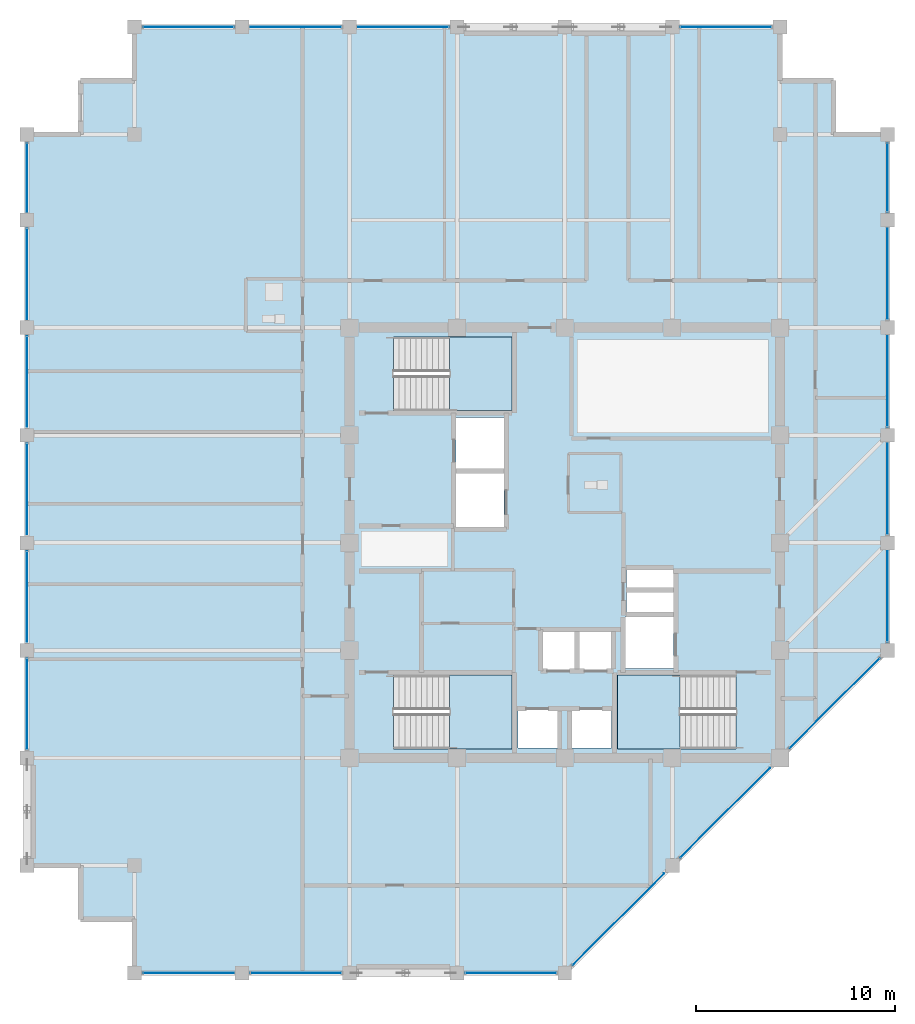
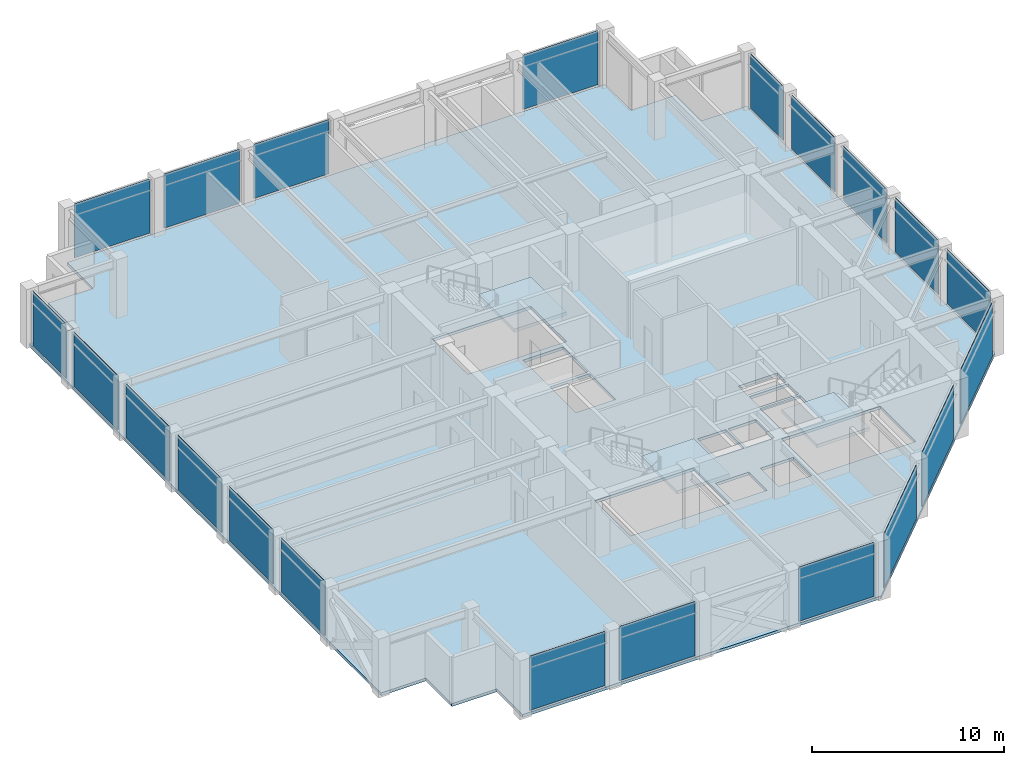
# One storey, part 23 of 30: 21 plates, 4 slabs, 10 elements without a shape of their own.
"""IFC4 building model written with IfcOpenShell, lengths in metres."""

from ifc_helpers import new_model, si_unit, direction, frame, frame_2d, origin, place, context, subcontext, project, spatial, polyline, rectangle, outline, extrude, material, layer, layer_set, type_object, element, aggregate, save


model = new_model("IFC4")

# Units and contexts
model_context = context("Model", 3, precision=1e-05, world=origin(), true_north=direction((0.0, 1.0)))
body_context = subcontext(model_context, "Body", "Model", "MODEL_VIEW")
ifc_project = project(units=[si_unit("LENGTHUNIT", "METRE"), si_unit("AREAUNIT", "SQUARE_METRE"), si_unit("VOLUMEUNIT", "CUBIC_METRE"), si_unit("PLANEANGLEUNIT", "RADIAN"), si_unit("MASSUNIT", "GRAM", prefix="KILO")], contexts=[model_context])

# Site, building, storey
site_placement = place(None, origin())
site = spatial("IfcSite", under=ifc_project, at=site_placement, CompositionType="ELEMENT")
building_placement = place(site_placement, origin())
building = spatial("IfcBuilding", under=site, at=building_placement, Name="Surkhivell Harbour Commons", CompositionType="ELEMENT")
storey_placement = place(building_placement, frame((0.0, 0.0, 300.0)))
storey = spatial("IfcBuildingStorey", under=building, at=storey_placement, Name="L78", CompositionType="ELEMENT", Elevation=300.0)

# Curtain wall, plates
ifc_material_1 = material(Name="Anodised pale-metal aluminium and insulated glazing", Category="aluminium")
ifc_layer_1 = layer(ifc_material_1, 0.175048828125)
ifc_layer_set_1 = layer_set([ifc_layer_1], Name="Anodised pale-metal aluminium and insulated glazing")
curtain_wall_type = type_object("IfcCurtainWallType", Name="CW-SYS-Z4", PredefinedType="NOTDEFINED", material=ifc_layer_set_1)
curtain_wall_1_placement = place(storey_placement, origin())
curtain_wall_1 = element("IfcCurtainWall", 1, at=curtain_wall_1_placement, inside=storey, type_object=curtain_wall_type, Name="L78 Curtain Wall CW-L78-E00S1", PredefinedType="NOTDEFINED")
ifc_material_2 = material(Name="Double-silver low-E laminated vision glass", Category="glass")
ifc_layer_2 = layer(ifc_material_2, 0.031982421875)
ifc_layer_set_2 = layer_set([ifc_layer_2], Name="Double-silver low-E laminated vision glass")
plate_type = type_object("IfcPlateType", Name="CWP-GLZ-32", PredefinedType="CURTAIN_PANEL", material=ifc_layer_set_2)
plate_1_placement = place(storey_placement, frame((-21.173095703125, -21.60009765625, 0.1298828125), z_axis=(0.0, 0.0, 1.0), x_axis=(1.0, 0.0, 0.0)))
plate_1 = element("IfcPlate", 2, at=plate_1_placement, type_object=plate_type, Name="CW-Z4 panel 1.1", PredefinedType="CURTAIN_PANEL", context=body_context, shape_type="SweptSolid", body=[
    extrude(rectangle(XDim=4.546142578125, YDim=0.031982421875, at=frame_2d((2.27294921875, 0.0))), origin(), (0.0, 0.0, 1.0), 3.440185546875),
])
plate_2_placement = place(storey_placement, frame((-15.77294921875, -21.60009765625, 0.1298828125), z_axis=(0.0, 0.0, 1.0), x_axis=(1.0, 0.0, 0.0)))
plate_2 = element("IfcPlate", 3, at=plate_2_placement, type_object=plate_type, Name="CW-Z4 panel 2.1", PredefinedType="CURTAIN_PANEL", context=body_context, shape_type="SweptSolid", body=[
    extrude(rectangle(XDim=4.5458984375, YDim=0.031982421875, at=frame_2d((2.27294921875, 0.0))), origin(), (0.0, 0.0, 1.0), 3.440185546875),
])
aggregate(curtain_wall_1, [plate_1, plate_2])

# Curtain wall, plate
curtain_wall_2_placement = place(storey_placement, origin())
curtain_wall_2 = element("IfcCurtainWall", 4, at=curtain_wall_2_placement, inside=storey, type_object=curtain_wall_type, Name="L78 Curtain Wall CW-L78-E00S2", PredefinedType="NOTDEFINED")
plate_3_placement = place(storey_placement, frame((-4.972900390625, -21.60009765625, 0.1298828125), z_axis=(0.0, 0.0, 1.0), x_axis=(1.0, 0.0, 0.0)))
plate_3 = element("IfcPlate", 5, at=plate_3_placement, type_object=plate_type, Name="CW-Z4 panel 1.1", PredefinedType="CURTAIN_PANEL", context=body_context, shape_type="SweptSolid", body=[
    extrude(rectangle(XDim=4.5458984375, YDim=0.031982421875, at=frame_2d((2.27294921875, 0.0))), origin(), (0.0, 0.0, 1.0), 3.440185546875),
])
aggregate(curtain_wall_2, [plate_3])

# Curtain wall, plates
curtain_wall_3_placement = place(storey_placement, origin())
curtain_wall_3 = element("IfcCurtainWall", 6, at=curtain_wall_3_placement, inside=storey, type_object=curtain_wall_type, Name="L78 Curtain Wall CW-L78-E01", PredefinedType="NOTDEFINED")
plate_4_placement = place(storey_placement, frame((0.404541015625, -21.1953125, 0.1298828125), z_axis=(0.0, 0.0, 1.0), x_axis=(0.707125583467, 0.707087978406, 0.0)))
plate_4 = element("IfcPlate", 7, at=plate_4_placement, type_object=plate_type, Name="CW-Z4 panel 1.1", PredefinedType="CURTAIN_PANEL", context=body_context, shape_type="SweptSolid", body=[
    extrude(rectangle(XDim=6.4921875, YDim=0.031982421875, at=frame_2d((3.24609375, 0.0))), origin(), (0.0, 0.0, 1.0), 3.440185546875),
])
plate_5_placement = place(storey_placement, frame((5.8046875, -15.79541015625, 0.1298828125), z_axis=(0.0, 0.0, 1.0), x_axis=(0.707106781187, 0.707106781187, 0.0)))
plate_5 = element("IfcPlate", 8, at=plate_5_placement, type_object=plate_type, Name="CW-Z4 panel 2.1", PredefinedType="CURTAIN_PANEL", context=body_context, shape_type="SweptSolid", body=[
    extrude(rectangle(XDim=6.350830078125, YDim=0.031982421875, at=frame_2d((3.17529296875, 0.0))), origin(), (0.0, 0.0, 1.0), 3.440185546875),
])
plate_6_placement = place(storey_placement, frame((11.3046875, -10.29541015625, 0.1298828125), z_axis=(0.0, 0.0, 1.0), x_axis=(0.707106781187, 0.707106781187, 0.0)))
plate_6 = element("IfcPlate", 9, at=plate_6_placement, type_object=plate_type, Name="CW-Z4 panel 3.1", PredefinedType="CURTAIN_PANEL", context=body_context, shape_type="SweptSolid", body=[
    extrude(rectangle(XDim=6.350830078125, YDim=0.031982421875, at=frame_2d((3.17529296875, 0.0))), origin(), (0.0, 0.0, 1.0), 3.440185546875),
])
aggregate(curtain_wall_3, [plate_4, plate_5, plate_6])

curtain_wall_4_placement = place(storey_placement, origin())
curtain_wall_4 = element("IfcCurtainWall", 10, at=curtain_wall_4_placement, inside=storey, type_object=curtain_wall_type, Name="L78 Curtain Wall CW-L78-E02", PredefinedType="NOTDEFINED")
plate_7_placement = place(storey_placement, frame((16.199951171875, -4.972900390625, 0.1298828125), z_axis=(0.0, 0.0, 1.0), x_axis=(0.0, 1.0, 0.0)))
plate_7 = element("IfcPlate", 11, at=plate_7_placement, type_object=plate_type, Name="CW-Z4 panel 1.1", PredefinedType="CURTAIN_PANEL", context=body_context, shape_type="SweptSolid", body=[
    extrude(rectangle(XDim=4.5458984375, YDim=0.031982421875, at=frame_2d((2.27294921875, 0.0))), origin(), (0.0, 0.0, 1.0), 3.440185546875),
])
plate_8_placement = place(storey_placement, frame((16.199951171875, 0.427001953125, 0.1298828125), z_axis=(0.0, 0.0, 1.0), x_axis=(0.0, 1.0, 0.0)))
plate_8 = element("IfcPlate", 12, at=plate_8_placement, type_object=plate_type, Name="CW-Z4 panel 2.1", PredefinedType="CURTAIN_PANEL", context=body_context, shape_type="SweptSolid", body=[
    extrude(rectangle(XDim=4.5458984375, YDim=0.031982421875, at=frame_2d((2.27294921875, 0.0))), origin(), (0.0, 0.0, 1.0), 3.440185546875),
])
plate_9_placement = place(storey_placement, frame((16.199951171875, 5.826904296875, 0.1298828125), z_axis=(0.0, 0.0, 1.0), x_axis=(0.0, 1.0, 0.0)))
plate_9 = element("IfcPlate", 13, at=plate_9_placement, type_object=plate_type, Name="CW-Z4 panel 3.1", PredefinedType="CURTAIN_PANEL", context=body_context, shape_type="SweptSolid", body=[
    extrude(rectangle(XDim=4.546142578125, YDim=0.031982421875, at=frame_2d((2.27294921875, 0.0))), origin(), (0.0, 0.0, 1.0), 3.440185546875),
])
plate_10_placement = place(storey_placement, frame((16.199951171875, 11.22705078125, 0.1298828125), z_axis=(0.0, 0.0, 1.0), x_axis=(0.0, 1.0, 0.0)))
plate_10 = element("IfcPlate", 14, at=plate_10_placement, type_object=plate_type, Name="CW-Z4 panel 4.1", PredefinedType="CURTAIN_PANEL", context=body_context, shape_type="SweptSolid", body=[
    extrude(rectangle(XDim=4.5458984375, YDim=0.031982421875, at=frame_2d((2.27294921875, 0.0))), origin(), (0.0, 0.0, 1.0), 3.440185546875),
])
plate_11_placement = place(storey_placement, frame((16.199951171875, 16.626953125, 0.1298828125), z_axis=(0.0, 0.0, 1.0), x_axis=(0.0, 1.0, 0.0)))
plate_11 = element("IfcPlate", 15, at=plate_11_placement, type_object=plate_type, Name="CW-Z4 panel 5.1", PredefinedType="CURTAIN_PANEL", context=body_context, shape_type="SweptSolid", body=[
    extrude(rectangle(XDim=3.446044921875, YDim=0.031982421875, at=frame_2d((1.72314453125, 0.0))), origin(), (0.0, 0.0, 1.0), 3.440185546875),
])
aggregate(curtain_wall_4, [plate_7, plate_8, plate_9, plate_10, plate_11])

# Curtain wall, plate
curtain_wall_5_placement = place(storey_placement, origin())
curtain_wall_5 = element("IfcCurtainWall", 16, at=curtain_wall_5_placement, inside=storey, type_object=curtain_wall_type, Name="L78 Curtain Wall CW-L78-E07S1", PredefinedType="NOTDEFINED")
plate_12_placement = place(storey_placement, frame((10.373046875, 25.89990234375, 0.1298828125), z_axis=(0.0, 0.0, 1.0), x_axis=(-1.0, 0.0, 0.0)))
plate_12 = element("IfcPlate", 17, at=plate_12_placement, type_object=plate_type, Name="CW-Z4 panel 1.1", PredefinedType="CURTAIN_PANEL", context=body_context, shape_type="SweptSolid", body=[
    extrude(rectangle(XDim=4.546142578125, YDim=0.031982421875, at=frame_2d((2.27294921875, 0.0))), origin(), (0.0, 0.0, 1.0), 3.440185546875),
])
aggregate(curtain_wall_5, [plate_12])

# Curtain wall, plates
curtain_wall_6_placement = place(storey_placement, origin())
curtain_wall_6 = element("IfcCurtainWall", 18, at=curtain_wall_6_placement, inside=storey, type_object=curtain_wall_type, Name="L78 Curtain Wall CW-L78-E07S2", PredefinedType="NOTDEFINED")
plate_13_placement = place(storey_placement, frame((-5.826904296875, 25.89990234375, 0.1298828125), z_axis=(0.0, 0.0, 1.0), x_axis=(-1.0, 0.0, 0.0)))
plate_13 = element("IfcPlate", 19, at=plate_13_placement, type_object=plate_type, Name="CW-Z4 panel 1.1", PredefinedType="CURTAIN_PANEL", context=body_context, shape_type="SweptSolid", body=[
    extrude(rectangle(XDim=4.546142578125, YDim=0.031982421875, at=frame_2d((2.27294921875, 0.0))), origin(), (0.0, 0.0, 1.0), 3.440185546875),
])
plate_14_placement = place(storey_placement, frame((-11.22705078125, 25.89990234375, 0.1298828125), z_axis=(0.0, 0.0, 1.0), x_axis=(-1.0, 0.0, 0.0)))
plate_14 = element("IfcPlate", 20, at=plate_14_placement, type_object=plate_type, Name="CW-Z4 panel 2.1", PredefinedType="CURTAIN_PANEL", context=body_context, shape_type="SweptSolid", body=[
    extrude(rectangle(XDim=4.5458984375, YDim=0.031982421875, at=frame_2d((2.27294921875, 0.0))), origin(), (0.0, 0.0, 1.0), 3.440185546875),
])
plate_15_placement = place(storey_placement, frame((-16.626953125, 25.89990234375, 0.1298828125), z_axis=(0.0, 0.0, 1.0), x_axis=(-1.0, 0.0, 0.0)))
plate_15 = element("IfcPlate", 21, at=plate_15_placement, type_object=plate_type, Name="CW-Z4 panel 3.1", PredefinedType="CURTAIN_PANEL", context=body_context, shape_type="SweptSolid", body=[
    extrude(rectangle(XDim=4.546142578125, YDim=0.031982421875, at=frame_2d((2.27294921875, 0.0))), origin(), (0.0, 0.0, 1.0), 3.440185546875),
])
aggregate(curtain_wall_6, [plate_13, plate_14, plate_15])

curtain_wall_7_placement = place(storey_placement, origin())
curtain_wall_7 = element("IfcCurtainWall", 22, at=curtain_wall_7_placement, inside=storey, type_object=curtain_wall_type, Name="L78 Curtain Wall CW-L78-E12S1", PredefinedType="NOTDEFINED")
plate_16_placement = place(storey_placement, frame((-27.0, 20.072998046875, 0.1298828125), z_axis=(0.0, 0.0, 1.0), x_axis=(0.0, -1.0, 0.0)))
plate_16 = element("IfcPlate", 23, at=plate_16_placement, type_object=plate_type, Name="CW-Z4 panel 1.1", PredefinedType="CURTAIN_PANEL", context=body_context, shape_type="SweptSolid", body=[
    extrude(rectangle(XDim=3.446044921875, YDim=0.031982421875, at=frame_2d((1.72314453125, 0.0))), origin(), (0.0, 0.0, 1.0), 3.440185546875),
])
plate_17_placement = place(storey_placement, frame((-27.0, 15.77294921875, 0.1298828125), z_axis=(0.0, 0.0, 1.0), x_axis=(0.0, -1.0, 0.0)))
plate_17 = element("IfcPlate", 24, at=plate_17_placement, type_object=plate_type, Name="CW-Z4 panel 2.1", PredefinedType="CURTAIN_PANEL", context=body_context, shape_type="SweptSolid", body=[
    extrude(rectangle(XDim=4.5458984375, YDim=0.031982421875, at=frame_2d((2.27294921875, 0.0))), origin(), (0.0, 0.0, 1.0), 3.440185546875),
])
plate_18_placement = place(storey_placement, frame((-27.0, 10.373046875, 0.1298828125), z_axis=(0.0, 0.0, 1.0), x_axis=(0.0, -1.0, 0.0)))
plate_18 = element("IfcPlate", 25, at=plate_18_placement, type_object=plate_type, Name="CW-Z4 panel 3.1", PredefinedType="CURTAIN_PANEL", context=body_context, shape_type="SweptSolid", body=[
    extrude(rectangle(XDim=4.546142578125, YDim=0.031982421875, at=frame_2d((2.27294921875, 0.0))), origin(), (0.0, 0.0, 1.0), 3.440185546875),
])
plate_19_placement = place(storey_placement, frame((-27.0, 4.972900390625, 0.1298828125), z_axis=(0.0, 0.0, 1.0), x_axis=(0.0, -1.0, 0.0)))
plate_19 = element("IfcPlate", 26, at=plate_19_placement, type_object=plate_type, Name="CW-Z4 panel 4.1", PredefinedType="CURTAIN_PANEL", context=body_context, shape_type="SweptSolid", body=[
    extrude(rectangle(XDim=4.5458984375, YDim=0.031982421875, at=frame_2d((2.27294921875, 0.0))), origin(), (0.0, 0.0, 1.0), 3.440185546875),
])
plate_20_placement = place(storey_placement, frame((-27.0, -0.427001953125, 0.1298828125), z_axis=(0.0, 0.0, 1.0), x_axis=(0.0, -1.0, 0.0)))
plate_20 = element("IfcPlate", 27, at=plate_20_placement, type_object=plate_type, Name="CW-Z4 panel 5.1", PredefinedType="CURTAIN_PANEL", context=body_context, shape_type="SweptSolid", body=[
    extrude(rectangle(XDim=4.5458984375, YDim=0.031982421875, at=frame_2d((2.27294921875, 0.0))), origin(), (0.0, 0.0, 1.0), 3.440185546875),
])
plate_21_placement = place(storey_placement, frame((-27.0, -5.826904296875, 0.1298828125), z_axis=(0.0, 0.0, 1.0), x_axis=(0.0, -1.0, 0.0)))
plate_21 = element("IfcPlate", 28, at=plate_21_placement, type_object=plate_type, Name="CW-Z4 panel 6.1", PredefinedType="CURTAIN_PANEL", context=body_context, shape_type="SweptSolid", body=[
    extrude(rectangle(XDim=4.546142578125, YDim=0.031982421875, at=frame_2d((2.27294921875, 0.0))), origin(), (0.0, 0.0, 1.0), 3.440185546875),
])
aggregate(curtain_wall_7, [plate_16, plate_17, plate_18, plate_19, plate_20, plate_21])

# Stair, slab
ifc_material_3 = material(Name="Precast concrete C45/55", Category="concrete")
stair_type = type_object("IfcStairType", Name="STR-DL-375", PredefinedType="HALF_TURN_STAIR", material=ifc_material_3)
stair_1_placement = place(storey_placement, origin())
stair_1 = element("IfcStair", 29, at=stair_1_placement, inside=storey, type_object=stair_type, Name="L78 Core Exit Stair ST1", PredefinedType="HALF_TURN_STAIR")
ifc_material_4 = material(Name="Reinforced concrete C45/55", Category="concrete")
ifc_layer_3 = layer(ifc_material_4, 0.199951171875)
ifc_layer_set_3 = layer_set([ifc_layer_3], Name="Reinforced concrete C45/55")
slab_type_1 = type_object("IfcSlabType", Name="SLB-ST-LND200", PredefinedType="LANDING", material=ifc_layer_set_3)
slab_1_placement = place(storey_placement, frame((0.0, 0.0, 1.675048828125)))
slab_1 = element("IfcSlab", 30, at=slab_1_placement, type_object=slab_type_1, Name="ST1 landing 1", PredefinedType="LANDING", context=body_context, shape_type="SweptSolid", body=[
    extrude(outline(polyline([(-5.7900390625, 6.639892578125), (-2.639892578125, 6.639892578125), (-2.639892578125, 10.340087890625), (-5.7900390625, 10.340087890625), (-5.7900390625, 6.639892578125)])), origin(), (0.0, 0.0, 1.0), 0.199951171875),
])
aggregate(stair_1, [slab_1])

stair_2_placement = place(storey_placement, origin())
stair_2 = element("IfcStair", 31, at=stair_2_placement, inside=storey, type_object=stair_type, Name="L78 Core Exit Stair ST2", PredefinedType="HALF_TURN_STAIR")
slab_2_placement = place(storey_placement, frame((0.0, 0.0, 1.675048828125)))
slab_2 = element("IfcSlab", 32, at=slab_2_placement, type_object=slab_type_1, Name="ST2 landing 1", PredefinedType="LANDING", context=body_context, shape_type="SweptSolid", body=[
    extrude(outline(polyline([(5.7900390625, -6.639892578125), (2.639892578125, -6.639892578125), (2.639892578125, -10.340087890625), (5.7900390625, -10.340087890625), (5.7900390625, -6.639892578125)])), origin(), (0.0, 0.0, 1.0), 0.199951171875),
])
aggregate(stair_2, [slab_2])

stair_3_placement = place(storey_placement, origin())
stair_3 = element("IfcStair", 33, at=stair_3_placement, inside=storey, type_object=stair_type, Name="L78 Core Exit Stair ST3", PredefinedType="HALF_TURN_STAIR")
slab_3_placement = place(storey_placement, frame((0.0, 0.0, 1.675048828125)))
slab_3 = element("IfcSlab", 34, at=slab_3_placement, type_object=slab_type_1, Name="ST3 landing 1", PredefinedType="LANDING", context=body_context, shape_type="SweptSolid", body=[
    extrude(outline(polyline([(-5.7900390625, -10.340087890625), (-2.639892578125, -10.340087890625), (-2.639892578125, -6.639892578125), (-5.7900390625, -6.639892578125), (-5.7900390625, -10.340087890625)])), origin(), (0.0, 0.0, 1.0), 0.199951171875),
])
aggregate(stair_3, [slab_3])

# Slab
ifc_material_5 = material(Name="Concrete C45/55", Category="concrete")
ifc_layer_4 = layer(ifc_material_5, 0.179931640625)
ifc_layer_set_4 = layer_set([ifc_layer_4], Name="Concrete C45/55")
slab_type_2 = type_object("IfcSlabType", Name="SLB-TYP-180", PredefinedType="FLOOR", material=ifc_layer_set_4)
slab_4_placement = place(storey_placement, frame((0.0, 0.0, -0.179931640625)))
element("IfcSlab", 35, at=slab_4_placement, inside=storey, type_object=slab_type_2, Name="L78 Structural Floor Slab", PredefinedType="FLOOR", context=body_context, shape_type="SweptSolid", body=[
    extrude(outline(polyline([(-21.60009765625, -21.60009765625), (0.0, -21.60009765625), (16.199951171875, -5.39990234375), (16.199951171875, 20.5), (13.5, 20.5), (13.5, 23.199951171875), (10.800048828125, 23.199951171875), (10.800048828125, 25.89990234375), (-21.60009765625, 25.89990234375), (-21.60009765625, 23.199951171875), (-24.300048828125, 23.199951171875), (-24.300048828125, 20.5), (-27.0, 20.5), (-27.0, -16.199951171875), (-24.300048828125, -16.199951171875), (-24.300048828125, -18.89990234375), (-21.60009765625, -18.89990234375), (-21.60009765625, -21.60009765625)]), holes=[polyline([(-8.590087890625, 6.639892578125), (-2.639892578125, 6.639892578125), (-2.639892578125, 10.340087890625), (-8.590087890625, 10.340087890625), (-8.590087890625, 6.639892578125)]), polyline([(8.590087890625, -6.639892578125), (2.639892578125, -6.639892578125), (2.639892578125, -10.340087890625), (8.590087890625, -10.340087890625), (8.590087890625, -6.639892578125)]), polyline([(-8.590087890625, -10.340087890625), (-2.639892578125, -10.340087890625), (-2.639892578125, -6.639892578125), (-8.590087890625, -6.639892578125), (-8.590087890625, -10.340087890625)]), polyline([(-1.14990234375, -6.35009765625), (0.550048828125, -6.35009765625), (0.550048828125, -4.449951171875), (-1.14990234375, -4.449951171875), (-1.14990234375, -6.35009765625)]), polyline([(0.679931640625, -6.35009765625), (2.3798828125, -6.35009765625), (2.3798828125, -4.449951171875), (0.679931640625, -4.449951171875), (0.679931640625, -6.35009765625)]), polyline([(-2.35009765625, -10.300048828125), (-0.35009765625, -10.300048828125), (-0.35009765625, -8.39990234375), (-2.35009765625, -8.39990234375), (-2.35009765625, -10.300048828125)]), polyline([(0.35009765625, -10.300048828125), (2.35009765625, -10.300048828125), (2.35009765625, -8.39990234375), (0.35009765625, -8.39990234375), (0.35009765625, -10.300048828125)]), polyline([(-5.449951171875, 3.699951171875), (-3.050048828125, 3.699951171875), (-3.050048828125, 6.300048828125), (-5.449951171875, 6.300048828125), (-5.449951171875, 3.699951171875)]), polyline([(3.050048828125, -6.300048828125), (5.449951171875, -6.300048828125), (5.449951171875, -3.699951171875), (3.050048828125, -3.699951171875), (3.050048828125, -6.300048828125)]), polyline([(-5.449951171875, 0.800048828125), (-3.050048828125, 0.800048828125), (-3.050048828125, 3.5), (-5.449951171875, 3.5), (-5.449951171875, 0.800048828125)]), polyline([(3.10009765625, -3.550048828125), (5.449951171875, -3.550048828125), (5.449951171875, -2.47998046875), (3.10009765625, -2.47998046875), (3.10009765625, -3.550048828125)]), polyline([(3.10009765625, -2.280029296875), (5.449951171875, -2.280029296875), (5.449951171875, -1.35009765625), (3.10009765625, -1.35009765625), (3.10009765625, -2.280029296875)])]), origin(), (0.0, 0.0, 1.0), 0.179931640625),
])

save(model, "model.ifc")
